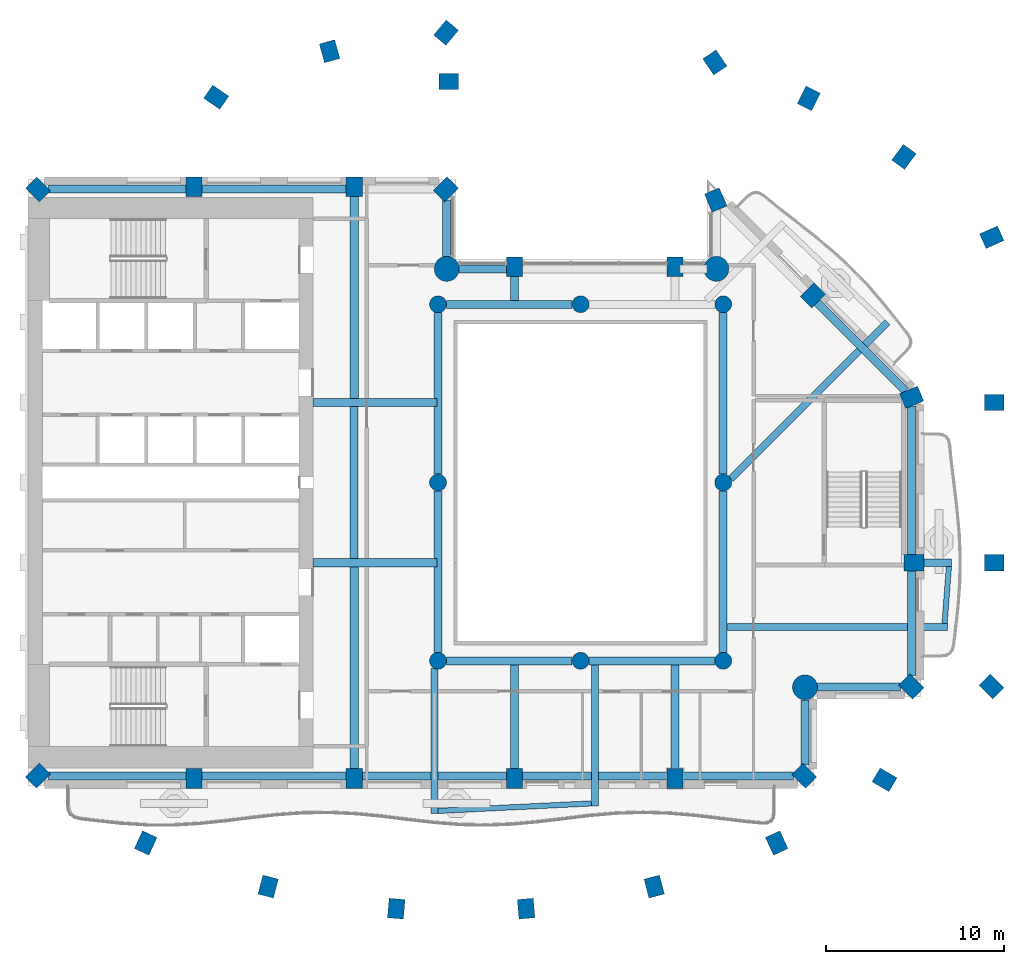
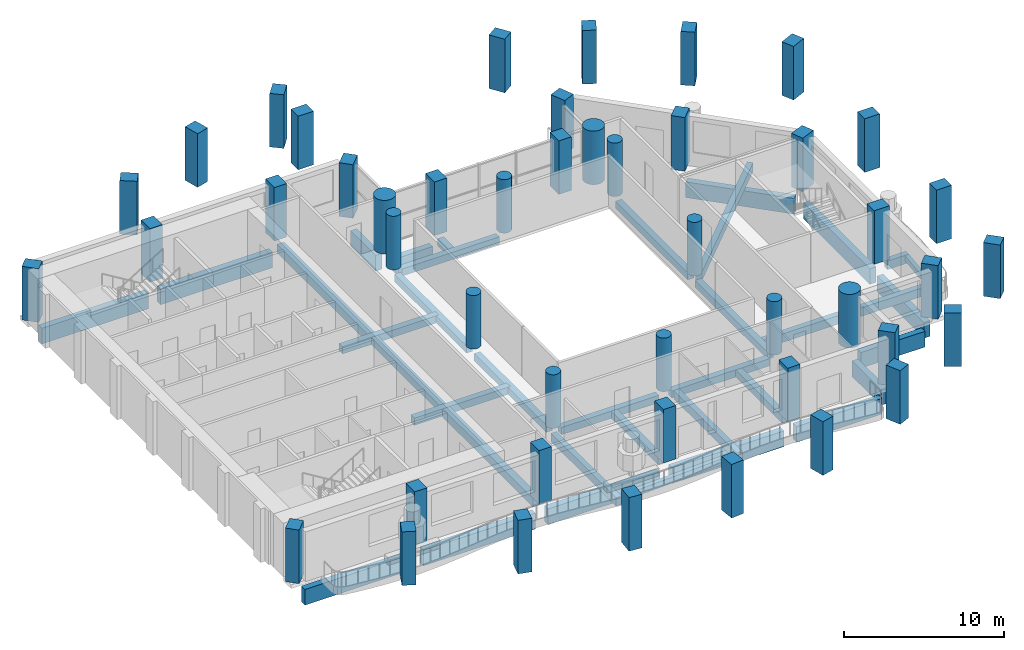
# One storey, part 1 of 15: 46 columns, 36 beams.
"""IFC4 building model written with IfcOpenShell, lengths in metres."""

from ifc_helpers import new_model, si_unit, direction, frame, origin, origin_2d, place, context, subcontext, project, spatial, rectangle, circle, extrude, material, material_profile, profile_set, type_object, element, save


model = new_model("IFC4")

# Units and contexts
model_context = context("Model", 3, precision=1e-05, world=origin(), true_north=direction((0.0, 1.0)))
body_context = subcontext(model_context, "Body", "Model", "MODEL_VIEW")
ifc_project = project(units=[si_unit("LENGTHUNIT", "METRE"), si_unit("AREAUNIT", "SQUARE_METRE"), si_unit("VOLUMEUNIT", "CUBIC_METRE"), si_unit("PLANEANGLEUNIT", "RADIAN"), si_unit("MASSUNIT", "GRAM", prefix="KILO")], contexts=[model_context])

# Site, building, storey
site_placement = place(None, origin())
site = spatial("IfcSite", under=ifc_project, at=site_placement, CompositionType="ELEMENT")
building_placement = place(site_placement, origin())
building = spatial("IfcBuilding", under=site, at=building_placement, Name="Cypress Arch Tower", CompositionType="ELEMENT")
storey_placement = place(building_placement, frame((0.0, 0.0, 213.800048828125)))
storey = spatial("IfcBuildingStorey", under=building, at=storey_placement, Name="L47", CompositionType="ELEMENT", Elevation=213.800048828125)

# Columns
ifc_material_1 = material(Name="Concrete C70/85", Category="concrete")
ifc_material_profile_1 = material_profile(ifc_material_1, rectangle(XDim=0.89990234375, YDim=1.10009765625, at=origin_2d()), Name="RC 900x1100")
ifc_profile_set_1 = profile_set([ifc_material_profile_1], Name="Concrete C70/85")
column_type_1 = type_object("IfcColumnType", Name="Column RC 900x1100 Concrete C70/85", PredefinedType="COLUMN", material=ifc_profile_set_1)
for number, where, z_axis, x_axis, name in (
    (1, (-29.44287109375, 16.44287109375, 0.0), (0.0, 0.0, 1.0), (-0.707106781187, -0.707106781187, 0.0), "Column L47 CB00"),
    (2, (-29.44287109375, -16.44287109375, 0.0), (0.0, 0.0, 1.0), (0.707106781187, -0.707106781187, 0.0), "Column L47 CB01"),
    (3, (-20.699951171875, -16.60009765625, 0.0), (0.0, 0.0, 1.0), (1.0, 0.0, 0.0), "Column L47 CB02"),
    (4, (-11.699951171875, -16.60009765625, 0.0), (0.0, 0.0, 1.0), (1.0, 0.0, 0.0), "Column L47 CB03"),
    (5, (-2.699951171875, -16.60009765625, 0.0), (0.0, 0.0, 1.0), (1.0, 0.0, 0.0), "Column L47 CB04"),
    (6, (6.300048828125, -16.60009765625, 0.0), (0.0, 0.0, 1.0), (1.0, 0.0, 0.0), "Column L47 CB05"),
    (7, (13.54296875, -16.44287109375, 0.0), (0.0, 0.0, 1.0), (0.707106781187, 0.707106781187, 0.0), "Column L47 CB06"),
    (8, (19.54296875, -11.44287109375, 0.0), (0.0, 0.0, 1.0), (0.707106781187, 0.707106781187, 0.0), "Column L47 CB08"),
    (9, (19.699951171875, -4.5, 0.0), (0.0, 0.0, 1.0), (0.0, 1.0, 0.0), "Column L47 CB09"),
    (10, (19.569580078125, 4.7802734375, 0.0), (0.0, 0.0, 1.0), (-0.382683496864, 0.923879505795, 0.0), "Column L47 CB10"),
    (11, (14.029296875, 10.505126953125, 0.0), (0.0, 0.0, 1.0), (-0.707106781187, 0.707106781187, 0.0), "Column L47 CB11"),
    (12, (8.576171875, 15.850341796875, 0.0), (0.0, 0.0, 1.0), (-0.923879672772, -0.382683093746, 0.0), "Column L47 CB12"),
    (13, (6.300048828125, 12.10009765625, 0.0), (0.0, 0.0, 1.0), (-1.0, 0.0, 0.0), "Column L47 CB14"),
    (14, (-2.699951171875, 12.10009765625, 0.0), (0.0, 0.0, 1.0), (-1.0, 0.0, 0.0), "Column L47 CB15"),
    (15, (-6.55712890625, 16.44287109375, 0.0), (0.0, 0.0, 1.0), (-0.707106781187, 0.707106781187, 0.0), "Column L47 CB17"),
    (16, (-11.699951171875, 16.60009765625, 0.0), (0.0, 0.0, 1.0), (-1.0, 0.0, 0.0), "Column L47 CB18"),
    (17, (-20.699951171875, 16.60009765625, 0.0), (0.0, 0.0, 1.0), (-1.0, 0.0, 0.0), "Column L47 CB19"),
    (18, (8.53076171875, 23.564697265625, 0.0), (0.0, 0.0, 1.0), (-0.828469606019, -0.560034027451, 0.0), "Column L47 CQ00"),
    (19, (-6.39990234375, 22.5, 0.0), (0.0, 0.0, 1.0), (0.0, 1.0, 0.0), "Column L47 CQ01"),
    (20, (-6.54833984375, 25.236572265625, 0.0), (0.0, 0.0, 1.0), (-0.766063514674, 0.642764880407, 0.0), "Column L47 CQ02"),
    (21, (-13.081298828125, 24.193359375, 0.0), (0.0, 0.0, 1.0), (-0.96345574646, -0.267867550506, 0.0), "Column L47 CQ03"),
    (22, (-19.44189453125, 21.616943359375, 0.0), (0.0, 0.0, 1.0), (-0.565892599589, -0.824478966215, 0.0), "Column L47 CQ04"),
    (23, (-23.398193359375, -20.221435546875, 0.0), (0.0, 0.0, 1.0), (0.909932071487, -0.414757308891, 0.0), "Column L47 CQ05"),
    (24, (-16.529052734375, -22.666259765625, 0.0), (0.0, 0.0, 1.0), (0.96735573689, -0.2534223319, 0.0), "Column L47 CQ06"),
    (25, (-9.3427734375, -23.903564453125, 0.0), (0.0, 0.0, 1.0), (0.996368206733, -0.085149260784, 0.0), "Column L47 CQ07"),
    (26, (-2.057373046875, -23.903564453125, 0.0), (0.0, 0.0, 1.0), (0.996368206733, 0.085149260784, 0.0), "Column L47 CQ08"),
    (27, (5.12890625, -22.666259765625, 0.0), (0.0, 0.0, 1.0), (0.96735573689, 0.2534223319, 0.0), "Column L47 CQ09"),
    (28, (11.998291015625, -20.221435546875, 0.0), (0.0, 0.0, 1.0), (0.909932071487, 0.414757308891, 0.0), "Column L47 CQ10"),
    (29, (18.048095703125, -16.677490234375, 0.0), (0.0, 0.0, 1.0), (0.504399289829, 0.86347053014, 0.0), "Column L47 CQ11"),
    (30, (24.04296875, -11.44287109375, 0.0), (0.0, 0.0, 1.0), (0.707106781187, 0.707106781187, 0.0), "Column L47 CQ12"),
    (31, (24.199951171875, -4.5, 0.0), (0.0, 0.0, 1.0), (0.0, 1.0, 0.0), "Column L47 CQ13"),
    (32, (24.199951171875, 4.5, 0.0), (0.0, 0.0, 1.0), (0.0, 1.0, 0.0), "Column L47 CQ14"),
    (33, (24.06396484375, 13.75927734375, 0.0), (0.0, 0.0, 1.0), (-0.409765058504, 0.912191096662, 0.0), "Column L47 CQ15"),
    (34, (19.13818359375, 18.267578125, 0.0), (0.0, 0.0, 1.0), (-0.802798546114, 0.596250362144, 0.0), "Column L47 CQ16"),
    (35, (13.80322265625, 21.549072265625, 0.0), (0.0, 0.0, 1.0), (-0.893106499805, 0.44984528452, 0.0), "Column L47 CQ17"),
):
    element("IfcColumn", number, at=place(storey_placement, frame(where, z_axis=z_axis, x_axis=x_axis)), inside=storey, type_object=column_type_1, Name=name, PredefinedType="COLUMN", context=body_context, shape_type="SweptSolid", body=[
        extrude(rectangle(XDim=0.89990234375, YDim=1.10009765625, at=origin_2d()), origin(), (0.0, 0.0, 1.0), 4.099853515625),
    ])
ifc_material_2 = material(Name="Concrete C70/85", Category="concrete")
ifc_material_profile_2 = material_profile(ifc_material_2, circle(Radius=0.47509765625, at=origin_2d()), Name="RC D950")
ifc_profile_set_2 = profile_set([ifc_material_profile_2], Name="Concrete C70/85")
column_type_2 = type_object("IfcColumnType", Name="Column RC D950 Concrete C70/85", PredefinedType="COLUMN", material=ifc_profile_set_2)
for number, where, z_axis, x_axis, name in (
    (36, (-7.0, -10.0, 0.0), (0.0, 0.0, 1.0), (1.0, 0.0, 0.0), "Column L47 RNG-L47-G-7-10"),
    (37, (-7.0, 0.0, 0.0), (0.0, 0.0, 1.0), (1.0, 0.0, 0.0), "Column L47 RNG-L47-G-7+0"),
    (38, (-7.0, 10.0, 0.0), (0.0, 0.0, 1.0), (1.0, 0.0, 0.0), "Column L47 RNG-L47-G-7+10"),
    (39, (1.0, -10.0, 0.0), (0.0, 0.0, 1.0), (1.0, 0.0, 0.0), "Column L47 RNG-L47-G+1-10"),
    (40, (1.0, 10.0, 0.0), (0.0, 0.0, 1.0), (1.0, 0.0, 0.0), "Column L47 RNG-L47-G+1+10"),
    (41, (9.0, -10.0, 0.0), (0.0, 0.0, 1.0), (1.0, 0.0, 0.0), "Column L47 RNG-L47-G+9-10"),
    (42, (9.0, 0.0, 0.0), (0.0, 0.0, 1.0), (1.0, 0.0, 0.0), "Column L47 RNG-L47-G+9+0"),
    (43, (9.0, 10.0, 0.0), (0.0, 0.0, 1.0), (1.0, 0.0, 0.0), "Column L47 RNG-L47-G+9+10"),
):
    element("IfcColumn", number, at=place(storey_placement, frame(where, z_axis=z_axis, x_axis=x_axis)), inside=storey, type_object=column_type_2, Name=name, PredefinedType="COLUMN", context=body_context, shape_type="SweptSolid", body=[
        extrude(circle(Radius=0.47509765625, at=origin_2d()), origin(), (0.0, 0.0, 1.0), 4.099853515625),
    ])
ifc_material_3 = material(Name="Concrete C70/85", Category="concrete")
ifc_material_profile_3 = material_profile(ifc_material_3, circle(Radius=0.699951171875, at=origin_2d()), Name="RC D1400")
ifc_profile_set_3 = profile_set([ifc_material_profile_3], Name="Concrete C70/85")
column_type_3 = type_object("IfcColumnType", Name="Mega-column RC D1400 Concrete C70/85", PredefinedType="COLUMN", material=ifc_profile_set_3)
for number, where, z_axis, x_axis, name in (
    (44, (13.587890625, -11.48779296875, 0.0), (0.0, 0.0, 1.0), (1.0, 0.0, 0.0), "Column L47 CB07"),
    (45, (8.612060546875, 11.98779296875, 0.0), (0.0, 0.0, 1.0), (1.0, 0.0, 0.0), "Column L47 CB13"),
    (46, (-6.51220703125, 11.98779296875, 0.0), (0.0, 0.0, 1.0), (1.0, 0.0, 0.0), "Column L47 CB16"),
):
    element("IfcColumn", number, at=place(storey_placement, frame(where, z_axis=z_axis, x_axis=x_axis)), inside=storey, type_object=column_type_3, Name=name, PredefinedType="COLUMN", context=body_context, shape_type="SweptSolid", body=[
        extrude(circle(Radius=0.699951171875, at=origin_2d()), origin(), (0.0, 0.0, 1.0), 4.099853515625),
    ])

# Beams
ifc_material_4 = material(Name="Concrete C50/60", Category="concrete")
ifc_material_profile_4 = material_profile(ifc_material_4, rectangle(XDim=0.300048828125, YDim=0.39990234375, at=origin_2d()), Name="RC 300x400")
ifc_profile_set_4 = profile_set([ifc_material_profile_4], Name="Concrete C50/60")
beam_type_1 = type_object("IfcBeamType", Name="Balcony edge beam RC 300x400 Concrete C50/60", PredefinedType="BEAM", material=ifc_profile_set_4)
beam_1_placement = place(storey_placement, frame((21.417236328125, -7.89990234375, -0.5), z_axis=(0.075922749318, 0.997113702712, 0.0), x_axis=(-0.997113702712, 0.075922749318, 0.0)))
element("IfcBeam", 47, at=beam_1_placement, inside=storey, type_object=beam_type_1, Name="Balcony edge beam L47 B04", PredefinedType="BEAM", context=body_context, shape_type="SweptSolid", body=[
    extrude(rectangle(XDim=0.300048828125, YDim=0.39990234375, at=origin_2d()), origin(), (0.0, 0.0, 1.0), 3.209228515625),
])
ifc_material_5 = material(Name="Concrete C50/60", Category="concrete")
ifc_material_profile_5 = material_profile(ifc_material_5, rectangle(XDim=0.300048828125, YDim=0.449951171875, at=origin_2d()), Name="RC 300x450")
ifc_profile_set_5 = profile_set([ifc_material_profile_5], Name="Concrete C50/60")
beam_type_2 = type_object("IfcBeamType", Name="Balcony edge beam RC 300x450 Concrete C50/60", PredefinedType="BEAM", material=ifc_profile_set_5)
beam_2_placement = place(storey_placement, frame((-7.0, -18.419677734375, -0.525146484375), z_axis=(0.998822459818, 0.04851488187, 0.0), x_axis=(-0.04851488187, 0.998822459818, 0.0)))
element("IfcBeam", 48, at=beam_2_placement, inside=storey, type_object=beam_type_2, Name="Balcony edge beam L47 B01", PredefinedType="BEAM", context=body_context, shape_type="SweptSolid", body=[
    extrude(rectangle(XDim=0.300048828125, YDim=0.449951171875, at=origin_2d()), origin(), (0.0, 0.0, 1.0), 8.6103515625),
])
ifc_material_6 = material(Name="Concrete C50/60", Category="concrete")
ifc_material_profile_6 = material_profile(ifc_material_6, rectangle(XDim=0.39990234375, YDim=0.64990234375, at=origin_2d()), Name="RC 400x650")
ifc_profile_set_6 = profile_set([ifc_material_profile_6], Name="Concrete C50/60")
beam_type_3 = type_object("IfcBeamType", Name="Cantilever beam RC 400x650 Concrete C50/60", PredefinedType="BEAM", material=ifc_profile_set_6)
beam_3_placement = place(storey_placement, frame((-7.199951171875, -10.4306640625, -0.625), z_axis=(0.0, -1.0, 0.0), x_axis=(1.0, 0.0, 0.0)))
element("IfcBeam", 49, at=beam_3_placement, inside=storey, type_object=beam_type_3, Name="Cantilever beam L47 B01 1", PredefinedType="BEAM", context=body_context, shape_type="SweptSolid", body=[
    extrude(rectangle(XDim=0.39990234375, YDim=0.64990234375, at=origin_2d()), origin(), (0.0, 0.0, 1.0), 8.138916015625),
])
beam_4_placement = place(storey_placement, frame((1.800048828125, -10.22509765625, -0.625), z_axis=(0.0, -1.0, 0.0), x_axis=(1.0, 0.0, 0.0)))
element("IfcBeam", 50, at=beam_4_placement, inside=storey, type_object=beam_type_3, Name="Cantilever beam L47 B01 2", PredefinedType="BEAM", context=body_context, shape_type="SweptSolid", body=[
    extrude(rectangle(XDim=0.39990234375, YDim=0.64990234375, at=origin_2d()), origin(), (0.0, 0.0, 1.0), 7.927001953125),
])
beam_5_placement = place(storey_placement, frame((9.22509765625, -8.10009765625, -0.625), z_axis=(1.0, 0.0, 0.0), x_axis=(0.0, 1.0, 0.0)))
element("IfcBeam", 51, at=beam_5_placement, inside=storey, type_object=beam_type_3, Name="Cantilever beam L47 B04 1", PredefinedType="BEAM", context=body_context, shape_type="SweptSolid", body=[
    extrude(rectangle(XDim=0.39990234375, YDim=0.64990234375, at=origin_2d()), origin(), (0.0, 0.0, 1.0), 12.34228515625),
])
beam_6_placement = place(storey_placement, frame((20.25, -4.5, -0.625), z_axis=(1.0, 0.0, 0.0), x_axis=(0.0, 1.0, 0.0)))
element("IfcBeam", 52, at=beam_6_placement, inside=storey, type_object=beam_type_3, Name="Cantilever beam L47 B04 2", PredefinedType="BEAM", context=body_context, shape_type="SweptSolid", body=[
    extrude(rectangle(XDim=0.39990234375, YDim=0.64990234375, at=origin_2d()), origin(), (0.0, 0.0, 1.0), 1.560791015625),
])
beam_7_placement = place(storey_placement, frame((9.4287109375, 0.204345703125, -0.625), z_axis=(0.707106781187, 0.707106781187, 0.0), x_axis=(-0.707106781187, 0.707106781187, 0.0)))
element("IfcBeam", 53, at=beam_7_placement, inside=storey, type_object=beam_type_3, Name="Cantilever beam L47 B05 1", PredefinedType="BEAM", context=body_context, shape_type="SweptSolid", body=[
    extrude(rectangle(XDim=0.39990234375, YDim=0.64990234375, at=origin_2d()), origin(), (0.0, 0.0, 1.0), 12.432373046875),
])
ifc_material_7 = material(Name="Concrete C50/60", Category="concrete")
ifc_material_profile_7 = material_profile(ifc_material_7, rectangle(XDim=0.449951171875, YDim=0.550048828125, at=origin_2d()), Name="RC 450x550")
ifc_profile_set_7 = profile_set([ifc_material_profile_7], Name="Concrete C50/60")
beam_type_4 = type_object("IfcBeamType", Name="Floor beam RC 450x550 Concrete C50/60", PredefinedType="BEAM", material=ifc_profile_set_7)
for number, where, z_axis, x_axis, name in (
    (54, (-7.0, -9.52490234375, -0.574951171875), (0.0, 1.0, 0.0), (-1.0, 0.0, 0.0), "Floor beam L47 RB001"),
    (55, (-7.0, 0.47509765625, -0.574951171875), (0.0, 1.0, 0.0), (-1.0, 0.0, 0.0), "Floor beam L47 RB002"),
    (56, (9.0, -9.52490234375, -0.574951171875), (0.0, 1.0, 0.0), (-1.0, 0.0, 0.0), "Floor beam L47 RB003"),
    (57, (9.0, 0.47509765625, -0.574951171875), (0.0, 1.0, 0.0), (-1.0, 0.0, 0.0), "Floor beam L47 RB004"),
):
    element("IfcBeam", number, at=place(storey_placement, frame(where, z_axis=z_axis, x_axis=x_axis)), inside=storey, type_object=beam_type_4, Name=name, PredefinedType="BEAM", context=body_context, shape_type="SweptSolid", body=[
        extrude(rectangle(XDim=0.449951171875, YDim=0.550048828125, at=origin_2d()), origin(), (0.0, 0.0, 1.0), 9.0498046875),
    ])
for number, where, z_axis, x_axis, name in (
    (58, (-6.52490234375, -10.0, -0.574951171875), (1.0, 0.0, 0.0), (0.0, 1.0, 0.0), "Floor beam L47 RB005"),
    (59, (1.47509765625, -10.0, -0.574951171875), (1.0, 0.0, 0.0), (0.0, 1.0, 0.0), "Floor beam L47 RB006"),
    (60, (-6.52490234375, 10.0, -0.574951171875), (1.0, 0.0, 0.0), (0.0, 1.0, 0.0), "Floor beam L47 RB007"),
):
    element("IfcBeam", number, at=place(storey_placement, frame(where, z_axis=z_axis, x_axis=x_axis)), inside=storey, type_object=beam_type_4, Name=name, PredefinedType="BEAM", context=body_context, shape_type="SweptSolid", body=[
        extrude(rectangle(XDim=0.449951171875, YDim=0.550048828125, at=origin_2d()), origin(), (0.0, 0.0, 1.0), 7.0498046875),
    ])
for number, where, z_axis, x_axis, name in (
    (61, (-14.0, -4.5, -0.574951171875), (1.0, 0.0, 0.0), (0.0, 1.0, 0.0), "Floor beam L47 FB009"),
    (62, (-14.0, 4.5, -0.574951171875), (1.0, 0.0, 0.0), (0.0, 1.0, 0.0), "Floor beam L47 FB010"),
):
    element("IfcBeam", number, at=place(storey_placement, frame(where, z_axis=z_axis, x_axis=x_axis)), inside=storey, type_object=beam_type_4, Name=name, PredefinedType="BEAM", context=body_context, shape_type="SweptSolid", body=[
        extrude(rectangle(XDim=0.449951171875, YDim=0.550048828125, at=origin_2d()), origin(), (0.0, 0.0, 1.0), 6.949951171875),
    ])
beam_8_placement = place(storey_placement, frame((-11.699951171875, -4.27490234375, -0.574951171875), z_axis=(0.0, 1.0, 0.0), x_axis=(-1.0, 0.0, 0.0)))
element("IfcBeam", 63, at=beam_8_placement, inside=storey, type_object=beam_type_4, Name="Floor beam L47 FB012", PredefinedType="BEAM", context=body_context, shape_type="SweptSolid", body=[
    extrude(rectangle(XDim=0.449951171875, YDim=0.550048828125, at=origin_2d()), origin(), (0.0, 0.0, 1.0), 8.5498046875),
])
beam_9_placement = place(storey_placement, frame((-2.699951171875, -16.050048828125, -0.574951171875), z_axis=(0.0, 1.0, 0.0), x_axis=(-1.0, 0.0, 0.0)))
element("IfcBeam", 64, at=beam_9_placement, inside=storey, type_object=beam_type_4, Name="Floor beam L47 FB014", PredefinedType="BEAM", context=body_context, shape_type="SweptSolid", body=[
    extrude(rectangle(XDim=0.449951171875, YDim=0.550048828125, at=origin_2d()), origin(), (0.0, 0.0, 1.0), 5.824951171875),
])
beam_10_placement = place(storey_placement, frame((-2.699951171875, 10.22509765625, -0.574951171875), z_axis=(0.0, 1.0, 0.0), x_axis=(-1.0, 0.0, 0.0)))
element("IfcBeam", 65, at=beam_10_placement, inside=storey, type_object=beam_type_4, Name="Floor beam L47 FB015", PredefinedType="BEAM", context=body_context, shape_type="SweptSolid", body=[
    extrude(rectangle(XDim=0.449951171875, YDim=0.550048828125, at=origin_2d()), origin(), (0.0, 0.0, 1.0), 1.324951171875),
])
beam_11_placement = place(storey_placement, frame((6.300048828125, -16.050048828125, -0.574951171875), z_axis=(0.0, 1.0, 0.0), x_axis=(-1.0, 0.0, 0.0)))
element("IfcBeam", 66, at=beam_11_placement, inside=storey, type_object=beam_type_4, Name="Floor beam L47 FB016", PredefinedType="BEAM", context=body_context, shape_type="SweptSolid", body=[
    extrude(rectangle(XDim=0.449951171875, YDim=0.550048828125, at=origin_2d()), origin(), (0.0, 0.0, 1.0), 5.824951171875),
])
ifc_material_8 = material(Name="Concrete C50/60", Category="concrete")
ifc_material_profile_8 = material_profile(ifc_material_8, rectangle(XDim=0.5, YDim=0.64990234375, at=origin_2d()), Name="RC 500x650")
ifc_profile_set_8 = profile_set([ifc_material_profile_8], Name="Concrete C50/60")
beam_type_5 = type_object("IfcBeamType", Name="Floor beam RC 500x650 Concrete C50/60", PredefinedType="BEAM", material=ifc_profile_set_8)
for number, where, z_axis, x_axis, name in (
    (67, (-11.699951171875, -16.050048828125, -0.625), (0.0, 1.0, 0.0), (-1.0, 0.0, 0.0), "Floor beam L47 FB011"),
    (68, (-11.699951171875, 4.72509765625, -0.625), (0.0, 1.0, 0.0), (-1.0, 0.0, 0.0), "Floor beam L47 FB013"),
):
    element("IfcBeam", number, at=place(storey_placement, frame(where, z_axis=z_axis, x_axis=x_axis)), inside=storey, type_object=beam_type_5, Name=name, PredefinedType="BEAM", context=body_context, shape_type="SweptSolid", body=[
        extrude(rectangle(XDim=0.5, YDim=0.64990234375, at=origin_2d()), origin(), (0.0, 0.0, 1.0), 11.324951171875),
    ])
ifc_material_9 = material(Name="Concrete C50/60", Category="concrete")
ifc_material_profile_9 = material_profile(ifc_material_9, rectangle(XDim=0.449951171875, YDim=1.199951171875, at=origin_2d()), Name="RC 450x1200")
ifc_profile_set_9 = profile_set([ifc_material_profile_9], Name="Concrete C50/60")
beam_type_6 = type_object("IfcBeamType", Name="Spandrel beam RC 450x1200 Concrete C50/60", PredefinedType="SPANDREL", material=ifc_profile_set_9)
beam_12_placement = place(storey_placement, frame((-28.838623046875, -16.47509765625, -1.550048828125), z_axis=(1.0, 0.0, 0.0), x_axis=(0.0, 1.0, 0.0)))
element("IfcBeam", 69, at=beam_12_placement, inside=storey, type_object=beam_type_6, Name="Spandrel beam L47 BB01-0", PredefinedType="SPANDREL", context=body_context, shape_type="SweptSolid", body=[
    extrude(rectangle(XDim=0.449951171875, YDim=1.199951171875, at=origin_2d()), origin(), (0.0, 0.0, 1.0), 7.688720703125),
])
for number, where, z_axis, x_axis, name in (
    (70, (-20.25, -16.47509765625, -1.550048828125), (1.0, 0.0, 0.0), (0.0, 1.0, 0.0), "Spandrel beam L47 BB01-1"),
    (71, (-11.25, -16.47509765625, -1.550048828125), (1.0, 0.0, 0.0), (0.0, 1.0, 0.0), "Spandrel beam L47 BB01-2"),
    (72, (-2.25, -16.47509765625, -1.550048828125), (1.0, 0.0, 0.0), (0.0, 1.0, 0.0), "Spandrel beam L47 BB01-3"),
):
    element("IfcBeam", number, at=place(storey_placement, frame(where, z_axis=z_axis, x_axis=x_axis)), inside=storey, type_object=beam_type_6, Name=name, PredefinedType="SPANDREL", context=body_context, shape_type="SweptSolid", body=[
        extrude(rectangle(XDim=0.449951171875, YDim=1.199951171875, at=origin_2d()), origin(), (0.0, 0.0, 1.0), 8.10009765625),
    ])
beam_13_placement = place(storey_placement, frame((6.75, -16.47509765625, -1.550048828125), z_axis=(1.0, 0.0, 0.0), x_axis=(0.0, 1.0, 0.0)))
element("IfcBeam", 73, at=beam_13_placement, inside=storey, type_object=beam_type_6, Name="Spandrel beam L47 BB01-4", PredefinedType="SPANDREL", context=body_context, shape_type="SweptSolid", body=[
    extrude(rectangle(XDim=0.449951171875, YDim=1.199951171875, at=origin_2d()), origin(), (0.0, 0.0, 1.0), 6.188720703125),
])
beam_14_placement = place(storey_placement, frame((13.574951171875, -15.838623046875, -1.550048828125), z_axis=(0.0, 1.0, 0.0), x_axis=(-1.0, 0.0, 0.0)))
element("IfcBeam", 74, at=beam_14_placement, inside=storey, type_object=beam_type_6, Name="Spandrel beam L47 BB02-0", PredefinedType="SPANDREL", context=body_context, shape_type="SweptSolid", body=[
    extrude(rectangle(XDim=0.449951171875, YDim=1.199951171875, at=origin_2d()), origin(), (0.0, 0.0, 1.0), 3.651123046875),
])
beam_15_placement = place(storey_placement, frame((14.28759765625, -11.47509765625, -1.550048828125), z_axis=(1.0, 0.0, 0.0), x_axis=(0.0, 1.0, 0.0)))
element("IfcBeam", 75, at=beam_15_placement, inside=storey, type_object=beam_type_6, Name="Spandrel beam L47 BB03-0", PredefinedType="SPANDREL", context=body_context, shape_type="SweptSolid", body=[
    extrude(rectangle(XDim=0.449951171875, YDim=1.199951171875, at=origin_2d()), origin(), (0.0, 0.0, 1.0), 4.651123046875),
])
beam_16_placement = place(storey_placement, frame((19.574951171875, -10.838623046875, -1.550048828125), z_axis=(0.0, 1.0, 0.0), x_axis=(-1.0, 0.0, 0.0)))
element("IfcBeam", 76, at=beam_16_placement, inside=storey, type_object=beam_type_6, Name="Spandrel beam L47 BB04-0", PredefinedType="SPANDREL", context=body_context, shape_type="SweptSolid", body=[
    extrude(rectangle(XDim=0.449951171875, YDim=1.199951171875, at=origin_2d()), origin(), (0.0, 0.0, 1.0), 5.888671875),
])
beam_17_placement = place(storey_placement, frame((19.574951171875, -4.050048828125, -1.550048828125), z_axis=(0.0, 1.0, 0.0), x_axis=(-1.0, 0.0, 0.0)))
element("IfcBeam", 77, at=beam_17_placement, inside=storey, type_object=beam_type_6, Name="Spandrel beam L47 BB04-1", PredefinedType="SPANDREL", context=body_context, shape_type="SweptSolid", body=[
    extrude(rectangle(XDim=0.449951171875, YDim=1.199951171875, at=origin_2d()), origin(), (0.0, 0.0, 1.0), 8.345458984375),
])
beam_18_placement = place(storey_placement, frame((19.23046875, 5.126953125, -1.550048828125), z_axis=(-0.707106781187, 0.707106781187, 0.0), x_axis=(-0.707106781187, -0.707106781187, 0.0)))
element("IfcBeam", 78, at=beam_18_placement, inside=storey, type_object=beam_type_6, Name="Spandrel beam L47 BB05-0", PredefinedType="SPANDREL", context=body_context, shape_type="SweptSolid", body=[
    extrude(rectangle(XDim=0.449951171875, YDim=1.199951171875, at=origin_2d()), origin(), (0.0, 0.0, 1.0), 7.03076171875),
])
beam_19_placement = place(storey_placement, frame((-3.14990234375, 11.97509765625, -1.550048828125), z_axis=(-1.0, 0.0, 0.0), x_axis=(0.0, -1.0, 0.0)))
element("IfcBeam", 79, at=beam_19_placement, inside=storey, type_object=beam_type_6, Name="Spandrel beam L47 BB07-2", PredefinedType="SPANDREL", context=body_context, shape_type="SweptSolid", body=[
    extrude(rectangle(XDim=0.449951171875, YDim=1.199951171875, at=origin_2d()), origin(), (0.0, 0.0, 1.0), 2.66259765625),
])
beam_20_placement = place(storey_placement, frame((-6.52490234375, 12.6875, -1.550048828125), z_axis=(0.0, 1.0, 0.0), x_axis=(-1.0, 0.0, 0.0)))
element("IfcBeam", 80, at=beam_20_placement, inside=storey, type_object=beam_type_6, Name="Spandrel beam L47 BB08-0", PredefinedType="SPANDREL", context=body_context, shape_type="SweptSolid", body=[
    extrude(rectangle(XDim=0.449951171875, YDim=1.199951171875, at=origin_2d()), origin(), (0.0, 0.0, 1.0), 3.151123046875),
])
beam_21_placement = place(storey_placement, frame((-12.14990234375, 16.47509765625, -1.550048828125), z_axis=(-1.0, 0.0, 0.0), x_axis=(0.0, -1.0, 0.0)))
element("IfcBeam", 81, at=beam_21_placement, inside=storey, type_object=beam_type_6, Name="Spandrel beam L47 BB09-1", PredefinedType="SPANDREL", context=body_context, shape_type="SweptSolid", body=[
    extrude(rectangle(XDim=0.449951171875, YDim=1.199951171875, at=origin_2d()), origin(), (0.0, 0.0, 1.0), 8.10009765625),
])
beam_22_placement = place(storey_placement, frame((-21.14990234375, 16.47509765625, -1.550048828125), z_axis=(-1.0, 0.0, 0.0), x_axis=(0.0, -1.0, 0.0)))
element("IfcBeam", 82, at=beam_22_placement, inside=storey, type_object=beam_type_6, Name="Spandrel beam L47 BB09-2", PredefinedType="SPANDREL", context=body_context, shape_type="SweptSolid", body=[
    extrude(rectangle(XDim=0.449951171875, YDim=1.199951171875, at=origin_2d()), origin(), (0.0, 0.0, 1.0), 7.688720703125),
])

save(model, "model.ifc")
